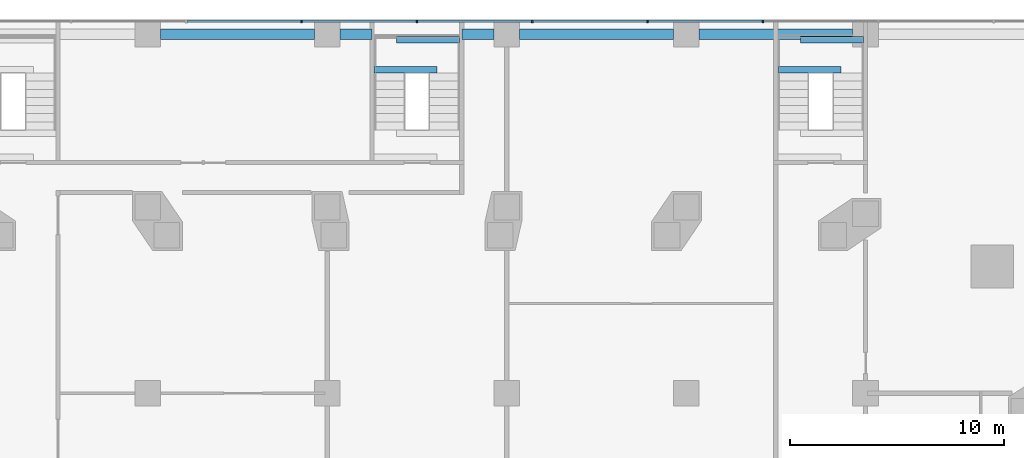
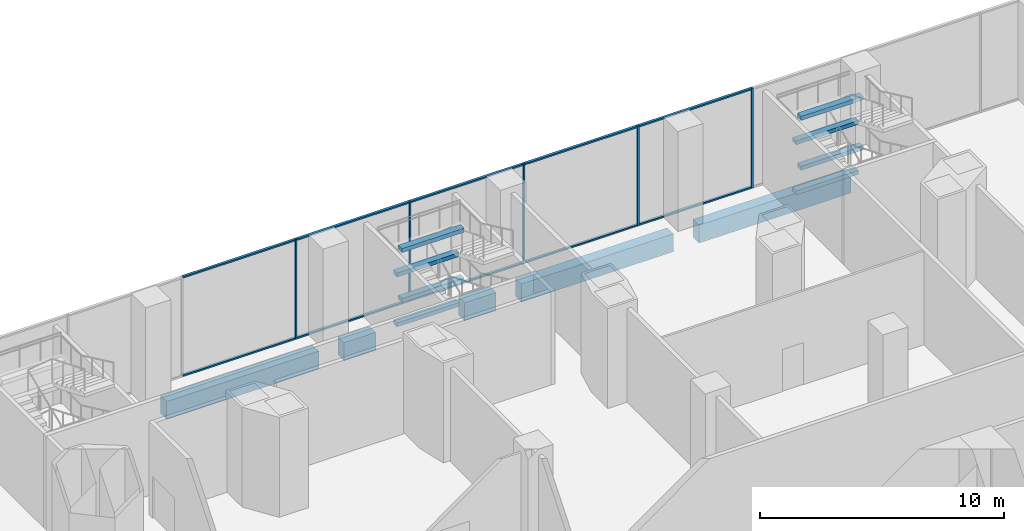
# One storey, part 11 of 28: 15 members, 13 beams, 1 element without a shape of its own.
"""IFC4 building model written with IfcOpenShell, lengths in metres."""

from ifc_helpers import new_model, si_unit, direction, frame, origin, origin_2d, place, context, subcontext, project, spatial, rectangle, extrude, material, layer, layer_set, material_profile, profile_set, type_object, element, aggregate, save


model = new_model("IFC4")

# Units and contexts
model_context = context("Model", 3, precision=1e-05, world=origin(), true_north=direction((0.0, 1.0)))
body_context = subcontext(model_context, "Body", "Model", "MODEL_VIEW")
ifc_project = project(units=[si_unit("LENGTHUNIT", "METRE"), si_unit("AREAUNIT", "SQUARE_METRE"), si_unit("VOLUMEUNIT", "CUBIC_METRE"), si_unit("PLANEANGLEUNIT", "RADIAN"), si_unit("MASSUNIT", "GRAM", prefix="KILO")], contexts=[model_context])

# Site, building, storey
site_placement = place(None, origin())
site = spatial("IfcSite", under=ifc_project, at=site_placement, CompositionType="ELEMENT")
building_placement = place(site_placement, origin())
building = spatial("IfcBuilding", under=site, at=building_placement, Name="Marenta Gate Hotel Tower", CompositionType="ELEMENT")
storey_placement = place(building_placement, frame((0.0, 0.0, 26.0)))
storey = spatial("IfcBuildingStorey", under=building, at=storey_placement, Name="L04", CompositionType="ELEMENT", Elevation=26.0)

# Curtain wall, members
ifc_material_1 = material(Name="Tinted insulated glass in bronze anodised frame", Category="glass")
ifc_layer = layer(ifc_material_1, 0.1201171875)
ifc_layer_set = layer_set([ifc_layer], Name="Tinted insulated glass in bronze anodised frame")
curtain_wall_type = type_object("IfcCurtainWallType", Name="Wellness glazing CW7", PredefinedType="NOTDEFINED", material=ifc_layer_set)
curtain_wall_placement = place(storey_placement, origin())
curtain_wall = element("IfcCurtainWall", 1, at=curtain_wall_placement, inside=storey, type_object=curtain_wall_type, Name="CW7 run NB-N000", PredefinedType="NOTDEFINED")
ifc_material_2 = material(Name="Bronze anodised aluminium", Category="aluminium")
ifc_material_profile_1 = material_profile(ifc_material_2, rectangle(XDim=0.1201171875, YDim=0.074951171875, at=origin_2d()), Name="Mullion CW7 75x120 bronze anodised aluminium")
ifc_profile_set_1 = profile_set([ifc_material_profile_1], Name="Bronze anodised aluminium")
member_type_1 = type_object("IfcMemberType", Name="Mullion CW7 75x120 bronze anodised aluminium", PredefinedType="MULLION", material=ifc_profile_set_1)
member_1_placement = place(storey_placement, frame((16.199951171875, 42.614013671875, 0.0), z_axis=(0.0, 0.0, 1.0), x_axis=(0.0, -1.0, 0.0)))
member_1 = element("IfcMember", 2, at=member_1_placement, type_object=member_type_1, Name="CW7 mullion 5", PredefinedType="MULLION", context=body_context, shape_type="SweptSolid", body=[
    extrude(rectangle(XDim=0.1201171875, YDim=0.074951171875, at=origin_2d()), origin(), (0.0, 0.0, 1.0), 5.0),
])
member_2_placement = place(storey_placement, frame((10.800048828125, 42.614013671875, 0.0), z_axis=(0.0, 0.0, 1.0), x_axis=(0.0, -1.0, 0.0)))
member_2 = element("IfcMember", 3, at=member_2_placement, type_object=member_type_1, Name="CW7 mullion 6", PredefinedType="MULLION", context=body_context, shape_type="SweptSolid", body=[
    extrude(rectangle(XDim=0.1201171875, YDim=0.074951171875, at=origin_2d()), origin(), (0.0, 0.0, 1.0), 5.0),
])
member_3_placement = place(storey_placement, frame((5.39990234375, 42.614013671875, 0.0), z_axis=(0.0, 0.0, 1.0), x_axis=(0.0, -1.0, 0.0)))
member_3 = element("IfcMember", 4, at=member_3_placement, type_object=member_type_1, Name="CW7 mullion 7", PredefinedType="MULLION", context=body_context, shape_type="SweptSolid", body=[
    extrude(rectangle(XDim=0.1201171875, YDim=0.074951171875, at=origin_2d()), origin(), (0.0, 0.0, 1.0), 5.0),
])
member_4_placement = place(storey_placement, frame((0.0, 42.614013671875, 0.0), z_axis=(0.0, 0.0, 1.0), x_axis=(0.0, -1.0, 0.0)))
member_4 = element("IfcMember", 5, at=member_4_placement, type_object=member_type_1, Name="CW7 mullion 8", PredefinedType="MULLION", context=body_context, shape_type="SweptSolid", body=[
    extrude(rectangle(XDim=0.1201171875, YDim=0.074951171875, at=origin_2d()), origin(), (0.0, 0.0, 1.0), 5.0),
])
member_5_placement = place(storey_placement, frame((-5.39990234375, 42.614013671875, 0.0), z_axis=(0.0, 0.0, 1.0), x_axis=(0.0, -1.0, 0.0)))
member_5 = element("IfcMember", 6, at=member_5_placement, type_object=member_type_1, Name="CW7 mullion 9", PredefinedType="MULLION", context=body_context, shape_type="SweptSolid", body=[
    extrude(rectangle(XDim=0.1201171875, YDim=0.074951171875, at=origin_2d()), origin(), (0.0, 0.0, 1.0), 5.0),
])

# Beams
ifc_material_3 = material(Name="Concrete C60", Category="concrete")
ifc_material_profile_2 = material_profile(ifc_material_3, rectangle(XDim=0.5, YDim=0.89990234375, at=origin_2d()), Name="500 x 900")
ifc_profile_set_2 = profile_set([ifc_material_profile_2], Name="Concrete C60")
beam_type_1 = type_object("IfcBeamType", Name="Podium edge beam 500 x 900 C60", PredefinedType="BEAM", material=ifc_profile_set_2)
for number, where, z_axis, x_axis, name in (
    (7, (20.39990234375, 42.0, -0.77001953125), (-1.0, 0.0, 0.0), (0.0, -1.0, 0.0), "L04-PBM-163"),
    (8, (12.0, 42.0, -0.77001953125), (-1.0, 0.0, 0.0), (0.0, -1.0, 0.0), "L04-PBM-164"),
):
    element("IfcBeam", number, at=place(storey_placement, frame(where, z_axis=z_axis, x_axis=x_axis)), inside=storey, type_object=beam_type_1, Name=name, PredefinedType="BEAM", context=body_context, shape_type="SweptSolid", body=[
        extrude(rectangle(XDim=0.5, YDim=0.89990234375, at=origin_2d()), origin(), (0.0, 0.0, 1.0), 7.199951171875),
    ])
for number, where, z_axis, x_axis, name in (
    (9, (3.60009765625, 42.0, -0.77001953125), (-1.0, 0.0, 0.0), (0.0, -1.0, 0.0), "L04-PBM-165"),
    (10, (-2.10009765625, 42.0, -0.77001953125), (-1.0, 0.0, 0.0), (0.0, -1.0, 0.0), "L04-PBM-166"),
):
    element("IfcBeam", number, at=place(storey_placement, frame(where, z_axis=z_axis, x_axis=x_axis)), inside=storey, type_object=beam_type_1, Name=name, PredefinedType="BEAM", context=body_context, shape_type="SweptSolid", body=[
        extrude(rectangle(XDim=0.5, YDim=0.89990234375, at=origin_2d()), origin(), (0.0, 0.0, 1.0), 1.5),
    ])
beam_1_placement = place(storey_placement, frame((-4.800048828125, 42.0, -0.77001953125), z_axis=(-1.0, 0.0, 0.0), x_axis=(0.0, -1.0, 0.0)))
element("IfcBeam", 11, at=beam_1_placement, inside=storey, type_object=beam_type_1, Name="L04-PBM-167", PredefinedType="BEAM", context=body_context, shape_type="SweptSolid", body=[
    extrude(rectangle(XDim=0.5, YDim=0.89990234375, at=origin_2d()), origin(), (0.0, 0.0, 1.0), 7.199951171875),
])
ifc_material_4 = material(Name="Concrete C40", Category="concrete")
ifc_material_profile_3 = material_profile(ifc_material_4, rectangle(XDim=0.300048828125, YDim=0.199951171875, at=origin_2d()), Name="300 x 200")
ifc_profile_set_3 = profile_set([ifc_material_profile_3], Name="Concrete C40")
beam_type_2 = type_object("IfcBeamType", Name="Stair landing trimmer 300 x 200 C40", PredefinedType="BEAM", material=ifc_profile_set_3)
beam_2_placement = place(storey_placement, frame((16.89990234375, 40.340087890625, 0.949951171875), z_axis=(1.0, 0.0, 0.0), x_axis=(0.0, 1.0, 0.0)))
element("IfcBeam", 12, at=beam_2_placement, inside=storey, type_object=beam_type_2, Name="L04-PX4-LT-1", PredefinedType="BEAM", context=body_context, shape_type="SweptSolid", body=[
    extrude(rectangle(XDim=0.300048828125, YDim=0.199951171875, at=origin_2d()), origin(), (0.0, 0.0, 1.0), 2.9501953125),
])
beam_3_placement = place(storey_placement, frame((17.949951171875, 41.75, 0.949951171875), z_axis=(1.0, 0.0, 0.0), x_axis=(0.0, 1.0, 0.0)))
element("IfcBeam", 13, at=beam_3_placement, inside=storey, type_object=beam_type_2, Name="L04-PX4-LT-2", PredefinedType="BEAM", context=body_context, shape_type="SweptSolid", body=[
    extrude(rectangle(XDim=0.300048828125, YDim=0.199951171875, at=origin_2d()), origin(), (0.0, 0.0, 1.0), 2.949951171875),
])
beam_4_placement = place(storey_placement, frame((16.89990234375, 40.340087890625, 3.449951171875), z_axis=(1.0, 0.0, 0.0), x_axis=(0.0, 1.0, 0.0)))
element("IfcBeam", 14, at=beam_4_placement, inside=storey, type_object=beam_type_2, Name="L04-PX4-LT-5", PredefinedType="BEAM", context=body_context, shape_type="SweptSolid", body=[
    extrude(rectangle(XDim=0.300048828125, YDim=0.199951171875, at=origin_2d()), origin(), (0.0, 0.0, 1.0), 2.9501953125),
])
for number, where, z_axis, x_axis, name in (
    (15, (17.949951171875, 41.75, 3.449951171875), (1.0, 0.0, 0.0), (0.0, 1.0, 0.0), "L04-PX4-LT-6"),
    (16, (-2.0, 40.340087890625, 0.949951171875), (1.0, 0.0, 0.0), (0.0, 1.0, 0.0), "L04-PX8-LT-1"),
    (17, (-0.949951171875, 41.75, 0.949951171875), (1.0, 0.0, 0.0), (0.0, 1.0, 0.0), "L04-PX8-LT-2"),
    (18, (-2.0, 40.340087890625, 3.449951171875), (1.0, 0.0, 0.0), (0.0, 1.0, 0.0), "L04-PX8-LT-5"),
    (19, (-0.949951171875, 41.75, 3.449951171875), (1.0, 0.0, 0.0), (0.0, 1.0, 0.0), "L04-PX8-LT-6"),
):
    element("IfcBeam", number, at=place(storey_placement, frame(where, z_axis=z_axis, x_axis=x_axis)), inside=storey, type_object=beam_type_2, Name=name, PredefinedType="BEAM", context=body_context, shape_type="SweptSolid", body=[
        extrude(rectangle(XDim=0.300048828125, YDim=0.199951171875, at=origin_2d()), origin(), (0.0, 0.0, 1.0), 2.949951171875),
    ])

# Member
ifc_material_5 = material(Name="Bronze anodised aluminium", Category="aluminium")
ifc_material_profile_4 = material_profile(ifc_material_5, rectangle(XDim=0.1201171875, YDim=0.074951171875, at=origin_2d()), Name="Transom CW7 75x120 bronze anodised aluminium")
ifc_profile_set_4 = profile_set([ifc_material_profile_4], Name="Bronze anodised aluminium")
member_type_2 = type_object("IfcMemberType", Name="Transom CW7 75x120 bronze anodised aluminium", PredefinedType="USERDEFINED", material=ifc_profile_set_4)
member_6_placement = place(storey_placement, frame((16.16259765625, 42.614013671875, 0.03759765625), z_axis=(-1.0, 0.0, 0.0), x_axis=(0.0, -1.0, 0.0)))
member_6 = element("IfcMember", 20, at=member_6_placement, type_object=member_type_2, Name="CW7 transom 5.1", ObjectType="TRANSOM", PredefinedType="USERDEFINED", context=body_context, shape_type="SweptSolid", body=[
    extrude(rectangle(XDim=0.1201171875, YDim=0.074951171875, at=origin_2d()), origin(), (0.0, 0.0, 1.0), 5.3251953125),
])

member_7_placement = place(storey_placement, frame((16.16259765625, 42.614013671875, 4.96240234375), z_axis=(-1.0, 0.0, 0.0), x_axis=(0.0, -1.0, 0.0)))
member_7 = element("IfcMember", 21, at=member_7_placement, type_object=member_type_2, Name="CW7 transom 5.2", ObjectType="TRANSOM", PredefinedType="USERDEFINED", context=body_context, shape_type="SweptSolid", body=[
    extrude(rectangle(XDim=0.1201171875, YDim=0.074951171875, at=origin_2d()), origin(), (0.0, 0.0, 1.0), 5.3251953125),
])

member_8_placement = place(storey_placement, frame((10.762451171875, 42.614013671875, 0.03759765625), z_axis=(-1.0, 0.0, 0.0), x_axis=(0.0, -1.0, 0.0)))
member_8 = element("IfcMember", 22, at=member_8_placement, type_object=member_type_2, Name="CW7 transom 6.1", ObjectType="TRANSOM", PredefinedType="USERDEFINED", context=body_context, shape_type="SweptSolid", body=[
    extrude(rectangle(XDim=0.1201171875, YDim=0.074951171875, at=origin_2d()), origin(), (0.0, 0.0, 1.0), 5.324951171875),
])

member_9_placement = place(storey_placement, frame((10.762451171875, 42.614013671875, 4.96240234375), z_axis=(-1.0, 0.0, 0.0), x_axis=(0.0, -1.0, 0.0)))
member_9 = element("IfcMember", 23, at=member_9_placement, type_object=member_type_2, Name="CW7 transom 6.2", ObjectType="TRANSOM", PredefinedType="USERDEFINED", context=body_context, shape_type="SweptSolid", body=[
    extrude(rectangle(XDim=0.1201171875, YDim=0.074951171875, at=origin_2d()), origin(), (0.0, 0.0, 1.0), 5.324951171875),
])

member_10_placement = place(storey_placement, frame((5.362548828125, 42.614013671875, 0.03759765625), z_axis=(-1.0, 0.0, 0.0), x_axis=(0.0, -1.0, 0.0)))
member_10 = element("IfcMember", 24, at=member_10_placement, type_object=member_type_2, Name="CW7 transom 7.1", ObjectType="TRANSOM", PredefinedType="USERDEFINED", context=body_context, shape_type="SweptSolid", body=[
    extrude(rectangle(XDim=0.1201171875, YDim=0.074951171875, at=origin_2d()), origin(), (0.0, 0.0, 1.0), 5.324951171875),
])

member_11_placement = place(storey_placement, frame((5.362548828125, 42.614013671875, 4.96240234375), z_axis=(-1.0, 0.0, 0.0), x_axis=(0.0, -1.0, 0.0)))
member_11 = element("IfcMember", 25, at=member_11_placement, type_object=member_type_2, Name="CW7 transom 7.2", ObjectType="TRANSOM", PredefinedType="USERDEFINED", context=body_context, shape_type="SweptSolid", body=[
    extrude(rectangle(XDim=0.1201171875, YDim=0.074951171875, at=origin_2d()), origin(), (0.0, 0.0, 1.0), 5.324951171875),
])

member_12_placement = place(storey_placement, frame((-0.03759765625, 42.614013671875, 0.03759765625), z_axis=(-1.0, 0.0, 0.0), x_axis=(0.0, -1.0, 0.0)))
member_12 = element("IfcMember", 26, at=member_12_placement, type_object=member_type_2, Name="CW7 transom 8.1", ObjectType="TRANSOM", PredefinedType="USERDEFINED", context=body_context, shape_type="SweptSolid", body=[
    extrude(rectangle(XDim=0.1201171875, YDim=0.074951171875, at=origin_2d()), origin(), (0.0, 0.0, 1.0), 5.324951171875),
])

member_13_placement = place(storey_placement, frame((-0.03759765625, 42.614013671875, 4.96240234375), z_axis=(-1.0, 0.0, 0.0), x_axis=(0.0, -1.0, 0.0)))
member_13 = element("IfcMember", 27, at=member_13_placement, type_object=member_type_2, Name="CW7 transom 8.2", ObjectType="TRANSOM", PredefinedType="USERDEFINED", context=body_context, shape_type="SweptSolid", body=[
    extrude(rectangle(XDim=0.1201171875, YDim=0.074951171875, at=origin_2d()), origin(), (0.0, 0.0, 1.0), 5.324951171875),
])

member_14_placement = place(storey_placement, frame((-5.4375, 42.614013671875, 0.03759765625), z_axis=(-1.0, 0.0, 0.0), x_axis=(0.0, -1.0, 0.0)))
member_14 = element("IfcMember", 28, at=member_14_placement, type_object=member_type_2, Name="CW7 transom 9.1", ObjectType="TRANSOM", PredefinedType="USERDEFINED", context=body_context, shape_type="SweptSolid", body=[
    extrude(rectangle(XDim=0.1201171875, YDim=0.074951171875, at=origin_2d()), origin(), (0.0, 0.0, 1.0), 5.324951171875),
])

member_15_placement = place(storey_placement, frame((-5.4375, 42.614013671875, 4.96240234375), z_axis=(-1.0, 0.0, 0.0), x_axis=(0.0, -1.0, 0.0)))
member_15 = element("IfcMember", 29, at=member_15_placement, type_object=member_type_2, Name="CW7 transom 9.2", ObjectType="TRANSOM", PredefinedType="USERDEFINED", context=body_context, shape_type="SweptSolid", body=[
    extrude(rectangle(XDim=0.1201171875, YDim=0.074951171875, at=origin_2d()), origin(), (0.0, 0.0, 1.0), 5.324951171875),
])

aggregate(curtain_wall, [member_1, member_2, member_3, member_4, member_5, member_6, member_7, member_8, member_9, member_10, member_11, member_12, member_13, member_14, member_15])

save(model, "model.ifc")
